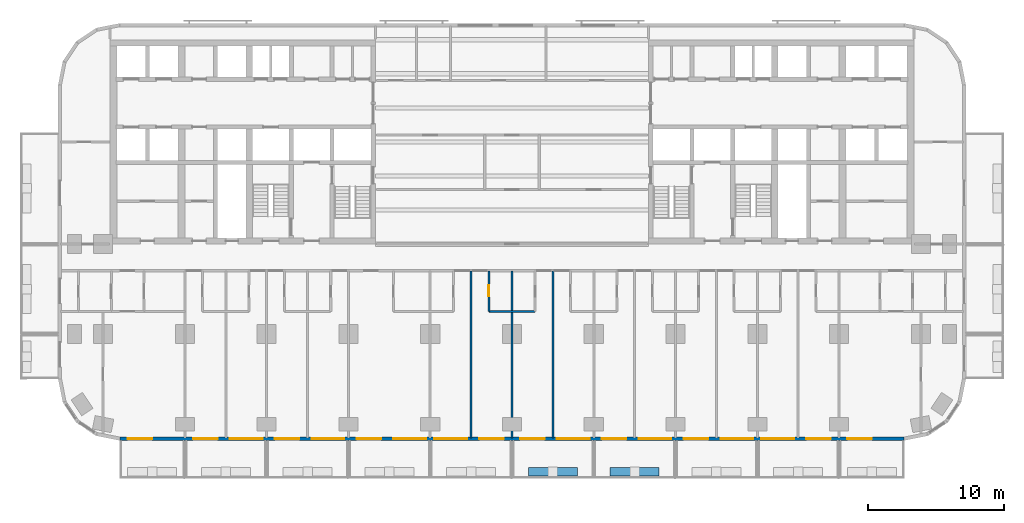
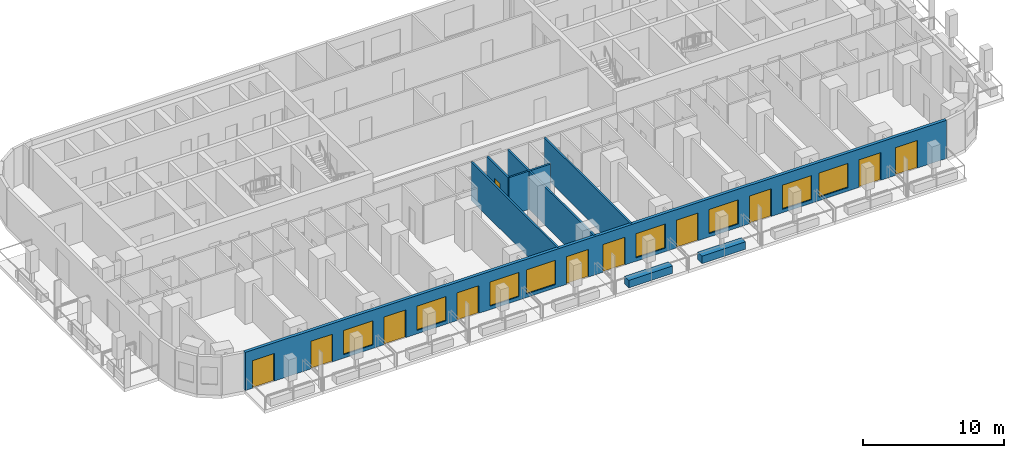
# One storey, part 5 of 15: 11 doors, 8 walls, 8 windows, 19 openings.
"""IFC4 building model written with IfcOpenShell, lengths in metres."""

from ifc_helpers import new_model, si_unit, direction, frame, frame_2d, origin, place, context, subcontext, project, spatial, rectangle, extrude, material, layer, layer_set, type_object, element, fill, save


model = new_model("IFC4")

# Units and contexts
model_context = context("Model", 3, precision=1e-05, world=origin(), true_north=direction((0.0, 1.0)))
body_context = subcontext(model_context, "Body", "Model", "MODEL_VIEW")
ifc_project = project(units=[si_unit("LENGTHUNIT", "METRE"), si_unit("AREAUNIT", "SQUARE_METRE"), si_unit("VOLUMEUNIT", "CUBIC_METRE"), si_unit("PLANEANGLEUNIT", "RADIAN"), si_unit("MASSUNIT", "GRAM", prefix="KILO")], contexts=[model_context])

# Site, building, storey
site_placement = place(None, origin())
site = spatial("IfcSite", under=ifc_project, at=site_placement, CompositionType="ELEMENT")
building_placement = place(site_placement, origin())
building = spatial("IfcBuilding", under=site, at=building_placement, Name="Torana Hotel and Residences", CompositionType="ELEMENT")
storey_placement = place(building_placement, frame((0.0, 0.0, 27.60009765625)))
storey = spatial("IfcBuildingStorey", under=building, at=storey_placement, Name="L05", CompositionType="ELEMENT", Elevation=27.60009765625)

# Wall, openings, doors, windows
ifc_material_1 = material(Name="Black aluminium composite panel", Category="aluminium")
ifc_layer_1 = layer(ifc_material_1, 0.00390625, Name="Cladding", Category="cladding")
ifc_material_2 = material(Name="Ventilated air cavity")
ifc_layer_2 = layer(ifc_material_2, 0.0400390625, Name="Ventilated cavity", Category="cavity")
ifc_material_3 = material(Name="Mineral wool insulation")
ifc_layer_3 = layer(ifc_material_3, 0.090087890625, Name="Insulation", Category="insulation")
ifc_material_4 = material(Name="Steel S280GD", Category="steel")
ifc_layer_4 = layer(ifc_material_4, 0.092041015625, Name="Steel stud frame", Category="structure")
ifc_material_5 = material(Name="Fire rated plasterboard")
ifc_layer_5 = layer(ifc_material_5, 0.011962890625, Name="Inner board", Category="finish")
ifc_layer_6 = layer(ifc_material_5, 0.011962890625, Name="Second board", Category="finish")
ifc_layer_set_1 = layer_set([ifc_layer_1, ifc_layer_2, ifc_layer_3, ifc_layer_4, ifc_layer_5, ifc_layer_6], Name="EW1 EXTERNAL WALL BLACK METAL CLAD 250")
wall_type_1 = type_object("IfcWallType", Name="EW1 EXTERNAL WALL BLACK METAL CLAD 250", PredefinedType="SOLIDWALL", material=ifc_layer_set_1)
wall_1_placement = place(storey_placement, frame((-28.775390625, -29.27490234375, 0.0), z_axis=(0.0, 0.0, 1.0), x_axis=(1.0, 0.0, 0.0)))
wall_1 = element("IfcWall", 1, at=wall_1_placement, inside=storey, type_object=wall_type_1, Name="External wall L05 e0.14", PredefinedType="SOLIDWALL", context=body_context, shape_type="SweptSolid", body=[
    extrude(rectangle(XDim=57.55078125, YDim=0.25, at=frame_2d((28.775390625, 0.0))), origin(), (0.0, 0.0, 1.0), 3.31982421875),
])
opening_1_placement = place(wall_1_placement, frame((0.575439453125, 0.0, 0.0)))
opening_1 = element("IfcOpeningElement", 2, at=opening_1_placement, cuts=wall_1, Name="Opening L05-E01", PredefinedType="OPENING", context=body_context, shape_type="SweptSolid", body=[
    extrude(rectangle(XDim=1.800048828125, YDim=2.39990234375, at=frame_2d((0.89990234375, 1.199951171875))), frame((0.0, 0.135009765625, 0.0), z_axis=(0.0, -1.0, 0.0), x_axis=(1.0, 0.0, 0.0)), (0.0, 0.0, 1.0), 0.27001953125),
])
opening_2_placement = place(wall_1_placement, frame((5.37548828125, 0.0, 0.0)))
opening_2 = element("IfcOpeningElement", 3, at=opening_2_placement, cuts=wall_1, Name="Opening L05-E02", PredefinedType="OPENING", context=body_context, shape_type="SweptSolid", body=[
    extrude(rectangle(XDim=1.800048828125, YDim=2.39990234375, at=frame_2d((0.89990234375, 1.199951171875))), frame((0.0, 0.135009765625, 0.0), z_axis=(0.0, -1.0, 0.0), x_axis=(1.0, 0.0, 0.0)), (0.0, 0.0, 1.0), 0.27001953125),
])
opening_3_placement = place(wall_1_placement, frame((8.075439453125, 0.0, 0.300048828125)))
opening_3 = element("IfcOpeningElement", 4, at=opening_3_placement, cuts=wall_1, Name="Opening W1", PredefinedType="OPENING", context=body_context, shape_type="SweptSolid", body=[
    extrude(rectangle(XDim=2.39990234375, YDim=2.10009765625, at=frame_2d((1.199951171875, 1.050048828125))), frame((0.0, 0.135009765625, 0.0), z_axis=(0.0, -1.0, 0.0), x_axis=(1.0, 0.0, 0.0)), (0.0, 0.0, 1.0), 0.27001953125),
])
opening_4_placement = place(wall_1_placement, frame((11.37548828125, 0.0, 0.0)))
opening_4 = element("IfcOpeningElement", 5, at=opening_4_placement, cuts=wall_1, Name="Opening L05-E03", PredefinedType="OPENING", context=body_context, shape_type="SweptSolid", body=[
    extrude(rectangle(XDim=1.800048828125, YDim=2.39990234375, at=frame_2d((0.89990234375, 1.199951171875))), frame((0.0, 0.135009765625, 0.0), z_axis=(0.0, -1.0, 0.0), x_axis=(1.0, 0.0, 0.0)), (0.0, 0.0, 1.0), 0.27001953125),
])
opening_5_placement = place(wall_1_placement, frame((14.075439453125, 0.0, 0.300048828125)))
opening_5 = element("IfcOpeningElement", 6, at=opening_5_placement, cuts=wall_1, Name="Opening W1", PredefinedType="OPENING", context=body_context, shape_type="SweptSolid", body=[
    extrude(rectangle(XDim=2.39990234375, YDim=2.10009765625, at=frame_2d((1.199951171875, 1.050048828125))), frame((0.0, 0.135009765625, 0.0), z_axis=(0.0, -1.0, 0.0), x_axis=(1.0, 0.0, 0.0)), (0.0, 0.0, 1.0), 0.27001953125),
])
opening_6_placement = place(wall_1_placement, frame((17.37548828125, 0.0, 0.0)))
opening_6 = element("IfcOpeningElement", 7, at=opening_6_placement, cuts=wall_1, Name="Opening L05-E04", PredefinedType="OPENING", context=body_context, shape_type="SweptSolid", body=[
    extrude(rectangle(XDim=1.800048828125, YDim=2.39990234375, at=frame_2d((0.89990234375, 1.199951171875))), frame((0.0, 0.135009765625, 0.0), z_axis=(0.0, -1.0, 0.0), x_axis=(1.0, 0.0, 0.0)), (0.0, 0.0, 1.0), 0.27001953125),
])
opening_7_placement = place(wall_1_placement, frame((20.075439453125, 0.0, 0.300048828125)))
opening_7 = element("IfcOpeningElement", 8, at=opening_7_placement, cuts=wall_1, Name="Opening W1", PredefinedType="OPENING", context=body_context, shape_type="SweptSolid", body=[
    extrude(rectangle(XDim=2.39990234375, YDim=2.10009765625, at=frame_2d((1.199951171875, 1.050048828125))), frame((0.0, 0.135009765625, 0.0), z_axis=(0.0, -1.0, 0.0), x_axis=(1.0, 0.0, 0.0)), (0.0, 0.0, 1.0), 0.27001953125),
])
opening_8_placement = place(wall_1_placement, frame((23.075439453125, 0.0, 0.300048828125)))
opening_8 = element("IfcOpeningElement", 9, at=opening_8_placement, cuts=wall_1, Name="Opening W1", PredefinedType="OPENING", context=body_context, shape_type="SweptSolid", body=[
    extrude(rectangle(XDim=2.39990234375, YDim=2.10009765625, at=frame_2d((1.199951171875, 1.050048828125))), frame((0.0, 0.135009765625, 0.0), z_axis=(0.0, -1.0, 0.0), x_axis=(1.0, 0.0, 0.0)), (0.0, 0.0, 1.0), 0.27001953125),
])
opening_9_placement = place(wall_1_placement, frame((26.37548828125, 0.0, 0.0)))
opening_9 = element("IfcOpeningElement", 10, at=opening_9_placement, cuts=wall_1, Name="Opening L05-E05", PredefinedType="OPENING", context=body_context, shape_type="SweptSolid", body=[
    extrude(rectangle(XDim=1.800048828125, YDim=2.39990234375, at=frame_2d((0.89990234375, 1.199951171875))), frame((0.0, 0.135009765625, 0.0), z_axis=(0.0, -1.0, 0.0), x_axis=(1.0, 0.0, 0.0)), (0.0, 0.0, 1.0), 0.27001953125),
])
opening_10_placement = place(wall_1_placement, frame((29.37548828125, 0.0, 0.0)))
opening_10 = element("IfcOpeningElement", 11, at=opening_10_placement, cuts=wall_1, Name="Opening L05-E06", PredefinedType="OPENING", context=body_context, shape_type="SweptSolid", body=[
    extrude(rectangle(XDim=1.800048828125, YDim=2.39990234375, at=frame_2d((0.89990234375, 1.199951171875))), frame((0.0, 0.135009765625, 0.0), z_axis=(0.0, -1.0, 0.0), x_axis=(1.0, 0.0, 0.0)), (0.0, 0.0, 1.0), 0.27001953125),
])
opening_11_placement = place(wall_1_placement, frame((32.075439453125, 0.0, 0.300048828125)))
opening_11 = element("IfcOpeningElement", 12, at=opening_11_placement, cuts=wall_1, Name="Opening W1", PredefinedType="OPENING", context=body_context, shape_type="SweptSolid", body=[
    extrude(rectangle(XDim=2.39990234375, YDim=2.10009765625, at=frame_2d((1.199951171875, 1.050048828125))), frame((0.0, 0.135009765625, 0.0), z_axis=(0.0, -1.0, 0.0), x_axis=(1.0, 0.0, 0.0)), (0.0, 0.0, 1.0), 0.27001953125),
])
opening_12_placement = place(wall_1_placement, frame((35.37548828125, 0.0, 0.0)))
opening_12 = element("IfcOpeningElement", 13, at=opening_12_placement, cuts=wall_1, Name="Opening L05-E07", PredefinedType="OPENING", context=body_context, shape_type="SweptSolid", body=[
    extrude(rectangle(XDim=1.800048828125, YDim=2.39990234375, at=frame_2d((0.89990234375, 1.199951171875))), frame((0.0, 0.135009765625, 0.0), z_axis=(0.0, -1.0, 0.0), x_axis=(1.0, 0.0, 0.0)), (0.0, 0.0, 1.0), 0.27001953125),
])
opening_13_placement = place(wall_1_placement, frame((38.075439453125, 0.0, 0.300048828125)))
opening_13 = element("IfcOpeningElement", 14, at=opening_13_placement, cuts=wall_1, Name="Opening W1", PredefinedType="OPENING", context=body_context, shape_type="SweptSolid", body=[
    extrude(rectangle(XDim=2.39990234375, YDim=2.10009765625, at=frame_2d((1.199951171875, 1.050048828125))), frame((0.0, 0.135009765625, 0.0), z_axis=(0.0, -1.0, 0.0), x_axis=(1.0, 0.0, 0.0)), (0.0, 0.0, 1.0), 0.27001953125),
])
opening_14_placement = place(wall_1_placement, frame((41.37548828125, 0.0, 0.0)))
opening_14 = element("IfcOpeningElement", 15, at=opening_14_placement, cuts=wall_1, Name="Opening L05-E08", PredefinedType="OPENING", context=body_context, shape_type="SweptSolid", body=[
    extrude(rectangle(XDim=1.800048828125, YDim=2.39990234375, at=frame_2d((0.89990234375, 1.199951171875))), frame((0.0, 0.135009765625, 0.0), z_axis=(0.0, -1.0, 0.0), x_axis=(1.0, 0.0, 0.0)), (0.0, 0.0, 1.0), 0.27001953125),
])
opening_15_placement = place(wall_1_placement, frame((44.075439453125, 0.0, 0.300048828125)))
opening_15 = element("IfcOpeningElement", 16, at=opening_15_placement, cuts=wall_1, Name="Opening W1", PredefinedType="OPENING", context=body_context, shape_type="SweptSolid", body=[
    extrude(rectangle(XDim=2.39990234375, YDim=2.10009765625, at=frame_2d((1.199951171875, 1.050048828125))), frame((0.0, 0.135009765625, 0.0), z_axis=(0.0, -1.0, 0.0), x_axis=(1.0, 0.0, 0.0)), (0.0, 0.0, 1.0), 0.27001953125),
])
opening_16_placement = place(wall_1_placement, frame((47.075439453125, 0.0, 0.300048828125)))
opening_16 = element("IfcOpeningElement", 17, at=opening_16_placement, cuts=wall_1, Name="Opening W1", PredefinedType="OPENING", context=body_context, shape_type="SweptSolid", body=[
    extrude(rectangle(XDim=2.39990234375, YDim=2.10009765625, at=frame_2d((1.199951171875, 1.050048828125))), frame((0.0, 0.135009765625, 0.0), z_axis=(0.0, -1.0, 0.0), x_axis=(1.0, 0.0, 0.0)), (0.0, 0.0, 1.0), 0.27001953125),
])
opening_17_placement = place(wall_1_placement, frame((50.37548828125, 0.0, 0.0)))
opening_17 = element("IfcOpeningElement", 18, at=opening_17_placement, cuts=wall_1, Name="Opening L05-E09", PredefinedType="OPENING", context=body_context, shape_type="SweptSolid", body=[
    extrude(rectangle(XDim=1.800048828125, YDim=2.39990234375, at=frame_2d((0.89990234375, 1.199951171875))), frame((0.0, 0.135009765625, 0.0), z_axis=(0.0, -1.0, 0.0), x_axis=(1.0, 0.0, 0.0)), (0.0, 0.0, 1.0), 0.27001953125),
])
opening_18_placement = place(wall_1_placement, frame((53.37548828125, 0.0, 0.0)))
opening_18 = element("IfcOpeningElement", 19, at=opening_18_placement, cuts=wall_1, Name="Opening L05-E10", PredefinedType="OPENING", context=body_context, shape_type="SweptSolid", body=[
    extrude(rectangle(XDim=1.800048828125, YDim=2.39990234375, at=frame_2d((0.89990234375, 1.199951171875))), frame((0.0, 0.135009765625, 0.0), z_axis=(0.0, -1.0, 0.0), x_axis=(1.0, 0.0, 0.0)), (0.0, 0.0, 1.0), 0.27001953125),
])
ifc_material_6 = material(Name="Dark glass in black aluminium frame", Category="aluminium")
door_type_1 = type_object("IfcDoorType", Name="DB1 BALCONY DOOR 1800x2400", OperationType="DOUBLE_DOOR_SINGLE_SWING", PredefinedType="DOOR", material=ifc_material_6)
door_1_placement = place(opening_1_placement, origin())
door_1 = element("IfcDoor", 20, at=door_1_placement, inside=storey, type_object=door_type_1, Name="Balcony door L05", OperationType="DOUBLE_DOOR_SINGLE_SWING", OverallHeight=2.39990234375, OverallWidth=1.800048828125, PredefinedType="DOOR", context=body_context, shape_type="SweptSolid", body=[
    extrude(rectangle(XDim=1.800048828125, YDim=2.39990234375, at=frame_2d((0.89990234375, 1.199951171875))), frame((0.0, 0.02490234375, 0.0), z_axis=(0.0, -1.0, 0.0), x_axis=(1.0, 0.0, 0.0)), (0.0, 0.0, 1.0), 0.050048828125),
])
fill(opening_1, door_1)
door_2_placement = place(opening_2_placement, frame((0.89990234375, 0.0, 0.0), z_axis=(0.0, 0.0, 1.0), x_axis=(-1.0, 0.0, 0.0)))
door_2 = element("IfcDoor", 21, at=door_2_placement, inside=storey, type_object=door_type_1, Name="Balcony door L05", OperationType="DOUBLE_DOOR_SINGLE_SWING", OverallHeight=2.39990234375, OverallWidth=1.800048828125, PredefinedType="DOOR", context=body_context, shape_type="SweptSolid", body=[
    extrude(rectangle(XDim=1.800048828125, YDim=2.39990234375, at=frame_2d((0.0, 1.199951171875))), frame((0.0, -0.02490234375, 0.0), z_axis=(0.0, 1.0, 0.0), x_axis=(-1.0, 0.0, 0.0)), (0.0, 0.0, 1.0), 0.050048828125),
])
fill(opening_2, door_2)
door_3_placement = place(opening_4_placement, frame((0.89990234375, 0.0, 0.0), z_axis=(0.0, 0.0, 1.0), x_axis=(-1.0, 0.0, 0.0)))
door_3 = element("IfcDoor", 22, at=door_3_placement, inside=storey, type_object=door_type_1, Name="Balcony door L05", OperationType="DOUBLE_DOOR_SINGLE_SWING", OverallHeight=2.39990234375, OverallWidth=1.800048828125, PredefinedType="DOOR", context=body_context, shape_type="SweptSolid", body=[
    extrude(rectangle(XDim=1.800048828125, YDim=2.39990234375, at=frame_2d((0.0, 1.199951171875))), frame((0.0, -0.02490234375, 0.0), z_axis=(0.0, 1.0, 0.0), x_axis=(-1.0, 0.0, 0.0)), (0.0, 0.0, 1.0), 0.050048828125),
])
fill(opening_4, door_3)
door_4_placement = place(opening_6_placement, frame((0.89990234375, 0.0, 0.0), z_axis=(0.0, 0.0, 1.0), x_axis=(-1.0, 0.0, 0.0)))
door_4 = element("IfcDoor", 23, at=door_4_placement, inside=storey, type_object=door_type_1, Name="Balcony door L05", OperationType="DOUBLE_DOOR_SINGLE_SWING", OverallHeight=2.39990234375, OverallWidth=1.800048828125, PredefinedType="DOOR", context=body_context, shape_type="SweptSolid", body=[
    extrude(rectangle(XDim=1.800048828125, YDim=2.39990234375, at=frame_2d((0.0, 1.199951171875))), frame((0.0, -0.02490234375, 0.0), z_axis=(0.0, 1.0, 0.0), x_axis=(-1.0, 0.0, 0.0)), (0.0, 0.0, 1.0), 0.050048828125),
])
fill(opening_6, door_4)
door_5_placement = place(opening_9_placement, frame((0.89990234375, 0.0, 0.0), z_axis=(0.0, 0.0, 1.0), x_axis=(-1.0, 0.0, 0.0)))
door_5 = element("IfcDoor", 24, at=door_5_placement, inside=storey, type_object=door_type_1, Name="Balcony door L05", OperationType="DOUBLE_DOOR_SINGLE_SWING", OverallHeight=2.39990234375, OverallWidth=1.800048828125, PredefinedType="DOOR", context=body_context, shape_type="SweptSolid", body=[
    extrude(rectangle(XDim=1.800048828125, YDim=2.39990234375, at=frame_2d((0.0, 1.199951171875))), frame((0.0, -0.02490234375, 0.0), z_axis=(0.0, 1.0, 0.0), x_axis=(-1.0, 0.0, 0.0)), (0.0, 0.0, 1.0), 0.050048828125),
])
fill(opening_9, door_5)
door_6_placement = place(opening_10_placement, frame((0.89990234375, 0.0, 0.0), z_axis=(0.0, 0.0, 1.0), x_axis=(-1.0, 0.0, 0.0)))
door_6 = element("IfcDoor", 25, at=door_6_placement, inside=storey, type_object=door_type_1, Name="Balcony door L05", OperationType="DOUBLE_DOOR_SINGLE_SWING", OverallHeight=2.39990234375, OverallWidth=1.800048828125, PredefinedType="DOOR", context=body_context, shape_type="SweptSolid", body=[
    extrude(rectangle(XDim=1.800048828125, YDim=2.39990234375, at=frame_2d((0.0, 1.199951171875))), frame((0.0, -0.02490234375, 0.0), z_axis=(0.0, 1.0, 0.0), x_axis=(-1.0, 0.0, 0.0)), (0.0, 0.0, 1.0), 0.050048828125),
])
fill(opening_10, door_6)
door_7_placement = place(opening_12_placement, frame((0.89990234375, 0.0, 0.0), z_axis=(0.0, 0.0, 1.0), x_axis=(-1.0, 0.0, 0.0)))
door_7 = element("IfcDoor", 26, at=door_7_placement, inside=storey, type_object=door_type_1, Name="Balcony door L05", OperationType="DOUBLE_DOOR_SINGLE_SWING", OverallHeight=2.39990234375, OverallWidth=1.800048828125, PredefinedType="DOOR", context=body_context, shape_type="SweptSolid", body=[
    extrude(rectangle(XDim=1.800048828125, YDim=2.39990234375, at=frame_2d((0.0, 1.199951171875))), frame((0.0, -0.02490234375, 0.0), z_axis=(0.0, 1.0, 0.0), x_axis=(-1.0, 0.0, 0.0)), (0.0, 0.0, 1.0), 0.050048828125),
])
fill(opening_12, door_7)
door_8_placement = place(opening_14_placement, frame((0.89990234375, 0.0, 0.0), z_axis=(0.0, 0.0, 1.0), x_axis=(-1.0, 0.0, 0.0)))
door_8 = element("IfcDoor", 27, at=door_8_placement, inside=storey, type_object=door_type_1, Name="Balcony door L05", OperationType="DOUBLE_DOOR_SINGLE_SWING", OverallHeight=2.39990234375, OverallWidth=1.800048828125, PredefinedType="DOOR", context=body_context, shape_type="SweptSolid", body=[
    extrude(rectangle(XDim=1.800048828125, YDim=2.39990234375, at=frame_2d((0.0, 1.199951171875))), frame((0.0, -0.02490234375, 0.0), z_axis=(0.0, 1.0, 0.0), x_axis=(-1.0, 0.0, 0.0)), (0.0, 0.0, 1.0), 0.050048828125),
])
fill(opening_14, door_8)
door_9_placement = place(opening_17_placement, frame((0.89990234375, 0.0, 0.0), z_axis=(0.0, 0.0, 1.0), x_axis=(-1.0, 0.0, 0.0)))
door_9 = element("IfcDoor", 28, at=door_9_placement, inside=storey, type_object=door_type_1, Name="Balcony door L05", OperationType="DOUBLE_DOOR_SINGLE_SWING", OverallHeight=2.39990234375, OverallWidth=1.800048828125, PredefinedType="DOOR", context=body_context, shape_type="SweptSolid", body=[
    extrude(rectangle(XDim=1.800048828125, YDim=2.39990234375, at=frame_2d((0.0, 1.199951171875))), frame((0.0, -0.02490234375, 0.0), z_axis=(0.0, 1.0, 0.0), x_axis=(-1.0, 0.0, 0.0)), (0.0, 0.0, 1.0), 0.050048828125),
])
fill(opening_17, door_9)
door_10_placement = place(opening_18_placement, frame((0.89990234375, 0.0, 0.0), z_axis=(0.0, 0.0, 1.0), x_axis=(-1.0, 0.0, 0.0)))
door_10 = element("IfcDoor", 29, at=door_10_placement, inside=storey, type_object=door_type_1, Name="Balcony door L05", OperationType="DOUBLE_DOOR_SINGLE_SWING", OverallHeight=2.39990234375, OverallWidth=1.800048828125, PredefinedType="DOOR", context=body_context, shape_type="SweptSolid", body=[
    extrude(rectangle(XDim=1.800048828125, YDim=2.39990234375, at=frame_2d((0.0, 1.199951171875))), frame((0.0, -0.02490234375, 0.0), z_axis=(0.0, 1.0, 0.0), x_axis=(-1.0, 0.0, 0.0)), (0.0, 0.0, 1.0), 0.050048828125),
])
fill(opening_18, door_10)
ifc_material_7 = material(Name="Dark glass in black aluminium frame", Category="aluminium")
window_type = type_object("IfcWindowType", Name="W1 HOTEL ROOM WINDOW 2400x2100", PartitioningType="SINGLE_PANEL", PredefinedType="WINDOW", material=ifc_material_7)
window_1_placement = place(opening_3_placement, origin())
window_1 = element("IfcWindow", 30, at=window_1_placement, inside=storey, type_object=window_type, Name="Window L05", OverallHeight=2.10009765625, OverallWidth=2.39990234375, PartitioningType="SINGLE_PANEL", PredefinedType="WINDOW", context=body_context, shape_type="SweptSolid", body=[
    extrude(rectangle(XDim=2.39990234375, YDim=2.10009765625, at=frame_2d((1.199951171875, 1.050048828125))), frame((0.0, 0.030029296875, 0.0), z_axis=(0.0, -1.0, 0.0), x_axis=(1.0, 0.0, 0.0)), (0.0, 0.0, 1.0), 0.06005859375),
])
fill(opening_3, window_1)
window_2_placement = place(opening_5_placement, origin())
window_2 = element("IfcWindow", 31, at=window_2_placement, inside=storey, type_object=window_type, Name="Window L05", OverallHeight=2.10009765625, OverallWidth=2.39990234375, PartitioningType="SINGLE_PANEL", PredefinedType="WINDOW", context=body_context, shape_type="SweptSolid", body=[
    extrude(rectangle(XDim=2.39990234375, YDim=2.10009765625, at=frame_2d((1.199951171875, 1.050048828125))), frame((0.0, 0.030029296875, 0.0), z_axis=(0.0, -1.0, 0.0), x_axis=(1.0, 0.0, 0.0)), (0.0, 0.0, 1.0), 0.06005859375),
])
fill(opening_5, window_2)
window_3_placement = place(opening_7_placement, origin())
window_3 = element("IfcWindow", 32, at=window_3_placement, inside=storey, type_object=window_type, Name="Window L05", OverallHeight=2.10009765625, OverallWidth=2.39990234375, PartitioningType="SINGLE_PANEL", PredefinedType="WINDOW", context=body_context, shape_type="SweptSolid", body=[
    extrude(rectangle(XDim=2.39990234375, YDim=2.10009765625, at=frame_2d((1.199951171875, 1.050048828125))), frame((0.0, 0.030029296875, 0.0), z_axis=(0.0, -1.0, 0.0), x_axis=(1.0, 0.0, 0.0)), (0.0, 0.0, 1.0), 0.06005859375),
])
fill(opening_7, window_3)
window_4_placement = place(opening_8_placement, origin())
window_4 = element("IfcWindow", 33, at=window_4_placement, inside=storey, type_object=window_type, Name="Window L05", OverallHeight=2.10009765625, OverallWidth=2.39990234375, PartitioningType="SINGLE_PANEL", PredefinedType="WINDOW", context=body_context, shape_type="SweptSolid", body=[
    extrude(rectangle(XDim=2.39990234375, YDim=2.10009765625, at=frame_2d((1.199951171875, 1.050048828125))), frame((0.0, 0.030029296875, 0.0), z_axis=(0.0, -1.0, 0.0), x_axis=(1.0, 0.0, 0.0)), (0.0, 0.0, 1.0), 0.06005859375),
])
fill(opening_8, window_4)
window_5_placement = place(opening_11_placement, origin())
window_5 = element("IfcWindow", 34, at=window_5_placement, inside=storey, type_object=window_type, Name="Window L05", OverallHeight=2.10009765625, OverallWidth=2.39990234375, PartitioningType="SINGLE_PANEL", PredefinedType="WINDOW", context=body_context, shape_type="SweptSolid", body=[
    extrude(rectangle(XDim=2.39990234375, YDim=2.10009765625, at=frame_2d((1.199951171875, 1.050048828125))), frame((0.0, 0.030029296875, 0.0), z_axis=(0.0, -1.0, 0.0), x_axis=(1.0, 0.0, 0.0)), (0.0, 0.0, 1.0), 0.06005859375),
])
fill(opening_11, window_5)
window_6_placement = place(opening_13_placement, origin())
window_6 = element("IfcWindow", 35, at=window_6_placement, inside=storey, type_object=window_type, Name="Window L05", OverallHeight=2.10009765625, OverallWidth=2.39990234375, PartitioningType="SINGLE_PANEL", PredefinedType="WINDOW", context=body_context, shape_type="SweptSolid", body=[
    extrude(rectangle(XDim=2.39990234375, YDim=2.10009765625, at=frame_2d((1.199951171875, 1.050048828125))), frame((0.0, 0.030029296875, 0.0), z_axis=(0.0, -1.0, 0.0), x_axis=(1.0, 0.0, 0.0)), (0.0, 0.0, 1.0), 0.06005859375),
])
fill(opening_13, window_6)
window_7_placement = place(opening_15_placement, origin())
window_7 = element("IfcWindow", 36, at=window_7_placement, inside=storey, type_object=window_type, Name="Window L05", OverallHeight=2.10009765625, OverallWidth=2.39990234375, PartitioningType="SINGLE_PANEL", PredefinedType="WINDOW", context=body_context, shape_type="SweptSolid", body=[
    extrude(rectangle(XDim=2.39990234375, YDim=2.10009765625, at=frame_2d((1.199951171875, 1.050048828125))), frame((0.0, 0.030029296875, 0.0), z_axis=(0.0, -1.0, 0.0), x_axis=(1.0, 0.0, 0.0)), (0.0, 0.0, 1.0), 0.06005859375),
])
fill(opening_15, window_7)
window_8_placement = place(opening_16_placement, origin())
window_8 = element("IfcWindow", 37, at=window_8_placement, inside=storey, type_object=window_type, Name="Window L05", OverallHeight=2.10009765625, OverallWidth=2.39990234375, PartitioningType="SINGLE_PANEL", PredefinedType="WINDOW", context=body_context, shape_type="SweptSolid", body=[
    extrude(rectangle(XDim=2.39990234375, YDim=2.10009765625, at=frame_2d((1.199951171875, 1.050048828125))), frame((0.0, 0.030029296875, 0.0), z_axis=(0.0, -1.0, 0.0), x_axis=(1.0, 0.0, 0.0)), (0.0, 0.0, 1.0), 0.06005859375),
])
fill(opening_16, window_8)

# Walls
ifc_material_8 = material(Name="Gypsum plasterboard")
ifc_layer_7 = layer(ifc_material_8, 0.012451171875, Name="Plasterboard", Category="finish")
ifc_layer_8 = layer(ifc_material_8, 0.012451171875, Name="Plasterboard", Category="finish")
ifc_layer_9 = layer(ifc_material_4, 0.10009765625, Name="Steel studs with mineral wool", Category="insulation")
ifc_layer_10 = layer(ifc_material_8, 0.012451171875, Name="Plasterboard", Category="finish")
ifc_layer_11 = layer(ifc_material_8, 0.012451171875, Name="Plasterboard", Category="finish")
ifc_layer_set_2 = layer_set([ifc_layer_7, ifc_layer_8, ifc_layer_9, ifc_layer_10, ifc_layer_11], Name="PARTITION 150 PLASTERBOARD")
wall_type_2 = type_object("IfcWallType", Name="PARTITION 150 PLASTERBOARD", PredefinedType="PARTITIONING", material=ifc_layer_set_2)
for number, where, z_axis, x_axis, name in (
    (38, (3.0, -29.219970703125, 0.0), (0.0, 0.0, 1.0), (0.0, 1.0, 0.0), "Partition L05"),
    (39, (0.0, -29.219970703125, 0.0), (0.0, 0.0, 1.0), (0.0, 1.0, 0.0), "Partition L05"),
):
    element("IfcWall", number, at=place(storey_placement, frame(where, z_axis=z_axis, x_axis=x_axis)), inside=storey, type_object=wall_type_2, Name=name, PredefinedType="PARTITIONING", context=body_context, shape_type="SweptSolid", body=[
        extrude(rectangle(XDim=12.27001953125, YDim=0.14990234375, at=frame_2d((6.135009765625, 0.0))), origin(), (0.0, 0.0, 1.0), 3.31982421875),
    ])

# Wall, opening, door
wall_2_placement = place(storey_placement, frame((-1.699951171875, -19.949951171875, 0.0), z_axis=(0.0, 0.0, 1.0), x_axis=(0.0, 1.0, 0.0)))
wall_2 = element("IfcWall", 40, at=wall_2_placement, inside=storey, type_object=wall_type_2, Name="Partition L05", PredefinedType="PARTITIONING", context=body_context, shape_type="SweptSolid", body=[
    extrude(rectangle(XDim=3.0, YDim=0.14990234375, at=frame_2d((1.5, 0.0))), origin(), (0.0, 0.0, 1.0), 3.31982421875),
])
opening_19_placement = place(wall_2_placement, frame((1.1201171875, 0.0, 0.0)))
opening_19 = element("IfcOpeningElement", 41, at=opening_19_placement, cuts=wall_2, Name="Opening L05-73", PredefinedType="OPENING", context=body_context, shape_type="SweptSolid", body=[
    extrude(rectangle(XDim=0.800048828125, YDim=2.10009765625, at=frame_2d((0.39990234375, 1.050048828125))), frame((0.0, 0.0849609375, 0.0), z_axis=(0.0, -1.0, 0.0), x_axis=(1.0, 0.0, 0.0)), (0.0, 0.0, 1.0), 0.169921875),
])
ifc_material_9 = material(Name="Timber door, painted", Category="wood")
door_type_2 = type_object("IfcDoorType", Name="BATH DOOR D13 800x2100", OperationType="SINGLE_SWING_LEFT", PredefinedType="DOOR", material=ifc_material_9)
door_11_placement = place(opening_19_placement, origin())
door_11 = element("IfcDoor", 42, at=door_11_placement, inside=storey, type_object=door_type_2, Name="Door L05", OperationType="SINGLE_SWING_LEFT", OverallHeight=2.10009765625, OverallWidth=0.800048828125, PredefinedType="DOOR", context=body_context, shape_type="SweptSolid", body=[
    extrude(rectangle(XDim=0.800048828125, YDim=2.10009765625, at=frame_2d((0.39990234375, 1.050048828125))), frame((0.0, 0.02490234375, 0.0), z_axis=(0.0, -1.0, 0.0), x_axis=(1.0, 0.0, 0.0)), (0.0, 0.0, 1.0), 0.050048828125),
])
fill(opening_19, door_11)

# Walls
wall_3_placement = place(storey_placement, frame((-3.0, -29.219970703125, 0.0), z_axis=(0.0, 0.0, 1.0), x_axis=(0.0, 1.0, 0.0)))
element("IfcWall", 43, at=wall_3_placement, inside=storey, type_object=wall_type_2, Name="Partition L05", PredefinedType="PARTITIONING", context=body_context, shape_type="SweptSolid", body=[
    extrude(rectangle(XDim=12.27001953125, YDim=0.14990234375, at=frame_2d((6.135009765625, 0.0))), origin(), (0.0, 0.0, 1.0), 3.31982421875),
])
wall_4_placement = place(storey_placement, frame((-1.699951171875, -19.949951171875, 0.0), z_axis=(0.0, 0.0, 1.0), x_axis=(1.0, 0.0, 0.0)))
element("IfcWall", 44, at=wall_4_placement, inside=storey, type_object=wall_type_2, Name="Partition L05", PredefinedType="PARTITIONING", context=body_context, shape_type="SweptSolid", body=[
    extrude(rectangle(XDim=3.39990234375, YDim=0.14990234375, at=frame_2d((1.699951171875, 0.0))), origin(), (0.0, 0.0, 1.0), 3.31982421875),
])
ifc_material_10 = material(Name="Concrete C40/50 precast", Category="concrete")
ifc_layer_12 = layer(ifc_material_10, 0.10009765625, Name="Planter shell", Category="structure")
ifc_material_11 = material(Name="Root resistant membrane")
ifc_layer_13 = layer(ifc_material_11, 0.00390625, Name="Waterproofing membrane", Category="membrane")
ifc_material_12 = material(Name="Drainage board with filter fleece")
ifc_layer_14 = layer(ifc_material_12, 0.02001953125, Name="Drainage board", Category="drainage")
ifc_material_13 = material(Name="Growing medium")
ifc_layer_15 = layer(ifc_material_13, 0.47607421875, Name="Planting substrate", Category="soil")
ifc_layer_set_3 = layer_set([ifc_layer_12, ifc_layer_13, ifc_layer_14, ifc_layer_15], Name="PL1 BALCONY PLANTER 600")
wall_type_3 = type_object("IfcWallType", Name="PL1 BALCONY PLANTER 600", PredefinedType="USERDEFINED", material=ifc_layer_set_3)
for number, where, z_axis, x_axis, name in (
    (45, (4.800048828125, -31.699951171875, 0.0), (0.0, 0.0, 1.0), (-1.0, 0.0, 0.0), "Planter 06"),
    (46, (10.800048828125, -31.699951171875, 0.0), (0.0, 0.0, 1.0), (-1.0, 0.0, 0.0), "Planter 07"),
):
    element("IfcWall", number, at=place(storey_placement, frame(where, z_axis=z_axis, x_axis=x_axis)), inside=storey, type_object=wall_type_3, Name=name, ObjectType="PLANTER", PredefinedType="USERDEFINED", context=body_context, shape_type="SweptSolid", body=[
        extrude(rectangle(XDim=3.60009765625, YDim=0.60009765625, at=frame_2d((1.800048828125, 0.0))), origin(), (0.0, 0.0, 1.0), 0.64990234375),
    ])

save(model, "model.ifc")
